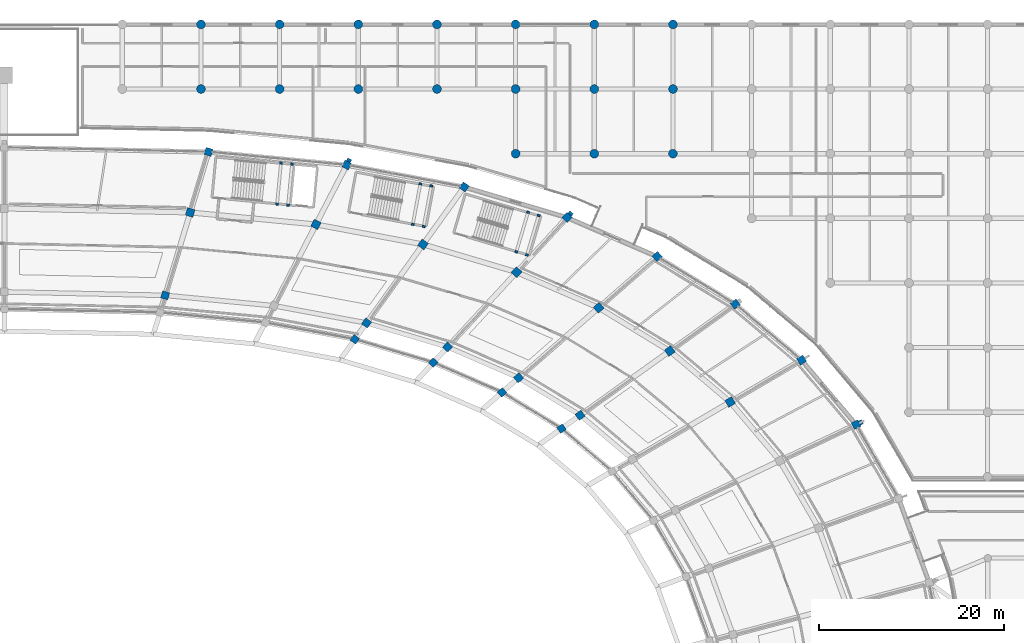
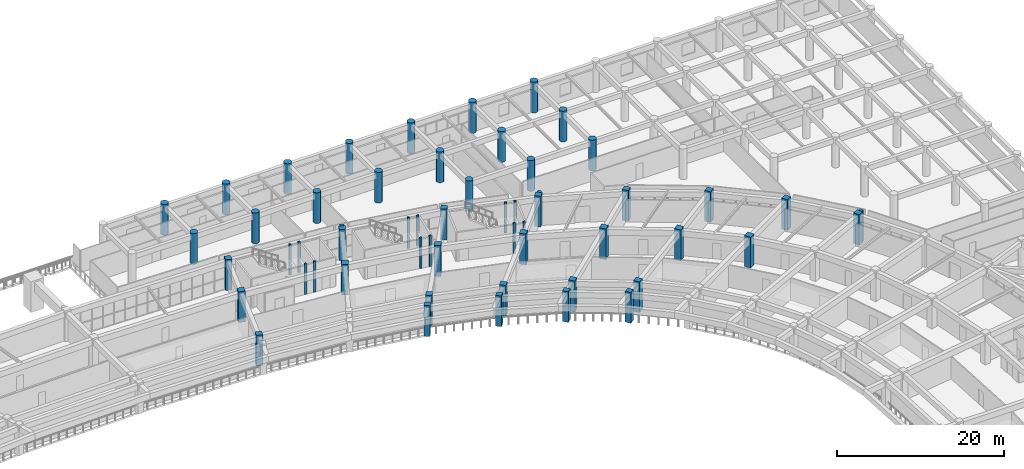
# One storey, part 9 of 145: 56 columns.
"""IFC4 building model written with IfcOpenShell, lengths in metres."""

from ifc_helpers import new_model, si_unit, direction, frame, origin, origin_2d, place, context, subcontext, project, spatial, rectangle, circle, extrude, material, material_profile, profile_set, type_object, element, save


model = new_model("IFC4")

# Units and contexts
model_context = context("Model", 3, precision=1e-05, world=origin(), true_north=direction((0.0, 1.0)))
body_context = subcontext(model_context, "Body", "Model", "MODEL_VIEW")
ifc_project = project(units=[si_unit("LENGTHUNIT", "METRE"), si_unit("AREAUNIT", "SQUARE_METRE"), si_unit("VOLUMEUNIT", "CUBIC_METRE"), si_unit("PLANEANGLEUNIT", "RADIAN"), si_unit("MASSUNIT", "GRAM", prefix="KILO")], contexts=[model_context])

# Site, building, storey
site_placement = place(None, origin())
site = spatial("IfcSite", under=ifc_project, at=site_placement, CompositionType="ELEMENT")
building_placement = place(site_placement, origin())
building = spatial("IfcBuilding", under=site, at=building_placement, Name="Mphavela Belvedere Stadium", CompositionType="ELEMENT")
storey_placement = place(building_placement, frame((0.0, 0.0, 10.199951171875)))
storey = spatial("IfcBuildingStorey", under=building, at=storey_placement, Name="L02", CompositionType="ELEMENT", Elevation=10.199951171875)

# Columns
ifc_material_1 = material(Name="Concrete C40/50", Category="concrete")
ifc_material_profile_1 = material_profile(ifc_material_1, rectangle(XDim=0.300048828125, YDim=0.219970703125, at=origin_2d()), Name="RC 300x220")
ifc_profile_set_1 = profile_set([ifc_material_profile_1], Name="Concrete C40/50")
column_type_1 = type_object("IfcColumnType", Name="COL-CORE-POST-300", PredefinedType="COLUMN", material=ifc_profile_set_1)
for number, where, z_axis, x_axis, name in (
    (1, (144.53515625, 154.541259765625, 0.0), (0.0, 0.0, 1.0), (0.995479460536, -0.094977069084, 0.0), "Core C03 stair frame column L02-1"),
    (2, (145.729736328125, 154.42724609375, 0.0), (0.0, 0.0, 1.0), (0.995479460536, -0.094977069084, 0.0), "Core C03 stair frame column L02-2"),
    (3, (146.154296875, 158.877197265625, 0.0), (0.0, 0.0, 1.0), (0.995479460536, -0.094977069084, 0.0), "Core C03 stair frame column L02-3"),
    (4, (144.959716796875, 158.990966796875, 0.0), (0.0, 0.0, 1.0), (0.995479460536, -0.094977069084, 0.0), "Core C03 stair frame column L02-4"),
    (5, (170.44189453125, 149.372802734375, 0.0), (0.0, 0.0, 1.0), (0.958670893355, -0.284517342588, 0.0), "Core P01 stair frame column L02-1"),
    (6, (171.59228515625, 149.031494140625, 0.0), (0.0, 0.0, 1.0), (0.958670893355, -0.284517342588, 0.0), "Core P01 stair frame column L02-2"),
    (7, (172.8642578125, 153.316650390625, 0.0), (0.0, 0.0, 1.0), (0.958670893355, -0.284517342588, 0.0), "Core P01 stair frame column L02-3"),
    (8, (171.7138671875, 153.658203125, 0.0), (0.0, 0.0, 1.0), (0.958670893355, -0.284517342588, 0.0), "Core P01 stair frame column L02-4"),
    (9, (159.233154296875, 152.34033203125, 0.0), (0.0, 0.0, 1.0), (0.983095502692, -0.183093507769, 0.0), "Core P02 stair frame column L02-1"),
    (10, (160.4130859375, 152.12060546875, 0.0), (0.0, 0.0, 1.0), (0.983095502692, -0.183093507769, 0.0), "Core P02 stair frame column L02-2"),
    (11, (161.2314453125, 156.514892578125, 0.0), (0.0, 0.0, 1.0), (0.983095502692, -0.183093507769, 0.0), "Core P02 stair frame column L02-3"),
    (12, (160.0517578125, 156.734619140625, 0.0), (0.0, 0.0, 1.0), (0.983095502692, -0.183093507769, 0.0), "Core P02 stair frame column L02-4"),
):
    element("IfcColumn", number, at=place(storey_placement, frame(where, z_axis=z_axis, x_axis=x_axis)), inside=storey, type_object=column_type_1, Name=name, PredefinedType="COLUMN", context=body_context, shape_type="SweptSolid", body=[
        extrude(rectangle(XDim=0.300048828125, YDim=0.219970703125, at=origin_2d()), origin(), (0.0, 0.0, 1.0), 4.5),
    ])
ifc_material_2 = material(Name="Concrete C40/50", Category="concrete")
ifc_material_profile_2 = material_profile(ifc_material_2, circle(Radius=0.47509765625, at=origin_2d()), Name="COL D950")
ifc_profile_set_2 = profile_set([ifc_material_profile_2], Name="Concrete C40/50")
column_type_2 = type_object("IfcColumnType", Name="COL-DORIC-950", PredefinedType="COLUMN", material=ifc_profile_set_2)
for number, where, z_axis, x_axis, name in (
    (13, (136.2958984375, 167.0, 0.0), (0.0, 0.0, 1.0), (1.0, 0.0, 0.0), "North Mast and Ceremonial End Forecourt classical column L02 17-7"),
    (14, (136.2958984375, 174.0, 0.0), (0.0, 0.0, 1.0), (1.0, 0.0, 0.0), "North Mast and Ceremonial End Forecourt classical column L02 17-8"),
    (15, (144.81494140625, 167.0, 0.0), (0.0, 0.0, 1.0), (1.0, 0.0, 0.0), "North Mast and Ceremonial End Forecourt classical column L02 18-7"),
    (16, (144.81494140625, 174.0, 0.0), (0.0, 0.0, 1.0), (1.0, 0.0, 0.0), "North Mast and Ceremonial End Forecourt classical column L02 18-8"),
    (17, (153.3330078125, 167.0, 0.0), (0.0, 0.0, 1.0), (1.0, 0.0, 0.0), "North Mast and Ceremonial End Forecourt classical column L02 19-7"),
    (18, (153.3330078125, 174.0, 0.0), (0.0, 0.0, 1.0), (1.0, 0.0, 0.0), "North Mast and Ceremonial End Forecourt classical column L02 19-8"),
    (19, (161.85205078125, 167.0, 0.0), (0.0, 0.0, 1.0), (1.0, 0.0, 0.0), "North Mast and Ceremonial End Forecourt classical column L02 20-7"),
    (20, (161.85205078125, 174.0, 0.0), (0.0, 0.0, 1.0), (1.0, 0.0, 0.0), "North Mast and Ceremonial End Forecourt classical column L02 20-8"),
    (21, (170.3701171875, 160.0, 0.0), (0.0, 0.0, 1.0), (1.0, 0.0, 0.0), "North Mast and Ceremonial End Forecourt classical column L02 21-6"),
    (22, (170.3701171875, 167.0, 0.0), (0.0, 0.0, 1.0), (1.0, 0.0, 0.0), "North Mast and Ceremonial End Forecourt classical column L02 21-7"),
    (23, (170.3701171875, 174.0, 0.0), (0.0, 0.0, 1.0), (1.0, 0.0, 0.0), "North Mast and Ceremonial End Forecourt classical column L02 21-8"),
    (24, (178.888916015625, 160.0, 0.0), (0.0, 0.0, 1.0), (1.0, 0.0, 0.0), "North Mast and Ceremonial End Forecourt classical column L02 22-6"),
    (25, (178.888916015625, 167.0, 0.0), (0.0, 0.0, 1.0), (1.0, 0.0, 0.0), "North Mast and Ceremonial End Forecourt classical column L02 22-7"),
    (26, (178.888916015625, 174.0, 0.0), (0.0, 0.0, 1.0), (1.0, 0.0, 0.0), "North Mast and Ceremonial End Forecourt classical column L02 22-8"),
    (27, (187.406982421875, 160.0, 0.0), (0.0, 0.0, 1.0), (1.0, 0.0, 0.0), "North Mast and Ceremonial End Forecourt classical column L02 23-6"),
    (28, (187.406982421875, 167.0, 0.0), (0.0, 0.0, 1.0), (1.0, 0.0, 0.0), "North Mast and Ceremonial End Forecourt classical column L02 23-7"),
    (29, (187.406982421875, 174.0, 0.0), (0.0, 0.0, 1.0), (1.0, 0.0, 0.0), "North Mast and Ceremonial End Forecourt classical column L02 23-8"),
):
    element("IfcColumn", number, at=place(storey_placement, frame(where, z_axis=z_axis, x_axis=x_axis)), inside=storey, type_object=column_type_2, Name=name, PredefinedType="COLUMN", context=body_context, shape_type="SweptSolid", body=[
        extrude(circle(Radius=0.47509765625, at=origin_2d()), origin(), (0.0, 0.0, 1.0), 4.5),
    ])
ifc_material_3 = material(Name="Concrete C40/50", Category="concrete")
ifc_material_profile_3 = material_profile(ifc_material_3, rectangle(XDim=0.75, YDim=0.75, at=origin_2d()), Name="RC 750x750")
ifc_profile_set_3 = profile_set([ifc_material_profile_3], Name="Concrete C40/50")
column_type_3 = type_object("IfcColumnType", Name="COL-RC750", PredefinedType="COLUMN", material=ifc_profile_set_3)
for number, where, z_axis, x_axis, name in (
    (30, (175.33740234375, 130.2314453125, 0.0), (0.0, 0.0, 1.0), (0.812897512265, 0.582406760395, 0.0), "Inner concourse column L02 R1-07"),
    (31, (168.88916015625, 134.154296875, 0.0), (0.0, 0.0, 1.0), (0.752529860433, 0.658558128912, 0.0), "Inner concourse column L02 R1-08"),
    (32, (161.450439453125, 137.37890625, 0.0), (0.0, 0.0, 1.0), (0.677903094969, 0.735151272753, 0.0), "Inner concourse column L02 R1-09"),
    (33, (152.961669921875, 139.898681640625, 0.0), (0.0, 0.0, 1.0), (0.582974127943, 0.812490717577, 0.0), "Inner concourse column L02 R1-10"),
):
    element("IfcColumn", number, at=place(storey_placement, frame(where, z_axis=z_axis, x_axis=x_axis)), inside=storey, type_object=column_type_3, Name=name, PredefinedType="COLUMN", context=body_context, shape_type="SweptSolid", body=[
        extrude(rectangle(XDim=0.75, YDim=0.75, at=origin_2d()), origin(), (0.0, 0.0, 1.0), 4.5),
    ])
ifc_material_4 = material(Name="Concrete C40/50", Category="concrete")
ifc_material_profile_4 = material_profile(ifc_material_4, rectangle(XDim=0.800048828125, YDim=0.800048828125, at=origin_2d()), Name="RC 800x800")
ifc_profile_set_4 = profile_set([ifc_material_profile_4], Name="Concrete C40/50")
column_type_4 = type_object("IfcColumnType", Name="COL-RC800", PredefinedType="COLUMN", material=ifc_profile_set_4)
for number, where, z_axis, x_axis, name in (
    (34, (207.242431640625, 130.66162109375, 0.0), (0.0, 0.0, 1.0), (0.903858661687, 0.4278311813, 0.0), "Outer colonnade column L02 R4-05"),
    (35, (201.33837890625, 137.653564453125, 0.0), (0.0, 0.0, 1.0), (0.862513669207, 0.506033764121, 0.0), "Outer colonnade column L02 R4-06"),
    (36, (177.353759765625, 131.676025390625, 0.0), (0.0, 0.0, 1.0), (0.812897512265, 0.582406760395, 0.0), "Middle concourse column L02 R2-07"),
    (37, (194.155517578125, 143.714599609375, 0.0), (0.0, 0.0, 1.0), (0.812897512265, 0.582406760395, 0.0), "Outer colonnade column L02 R4-07"),
    (38, (170.68994140625, 135.72998046875, 0.0), (0.0, 0.0, 1.0), (0.752529860433, 0.658558128912, 0.0), "Middle concourse column L02 R2-08"),
    (39, (185.6962890625, 148.86083984375, 0.0), (0.0, 0.0, 1.0), (0.752529860433, 0.658558128912, 0.0), "Outer colonnade column L02 R4-08"),
    (40, (163.002685546875, 139.0625, 0.0), (0.0, 0.0, 1.0), (0.677903094969, 0.735151272753, 0.0), "Middle concourse column L02 R2-09"),
    (41, (175.9375, 153.09130859375, 0.0), (0.0, 0.0, 1.0), (0.677903094969, 0.735151272753, 0.0), "Outer colonnade column L02 R4-09"),
    (42, (154.230224609375, 141.66650390625, 0.0), (0.0, 0.0, 1.0), (0.582974127943, 0.812490717577, 0.0), "Middle concourse column L02 R2-10"),
    (43, (164.80126953125, 156.39697265625, 0.0), (0.0, 0.0, 1.0), (0.582974127943, 0.812490717577, 0.0), "Outer colonnade column L02 R4-10"),
    (44, (152.07275390625, 158.767333984375, 0.0), (0.0, 0.0, 1.0), (0.458959712465, 0.888457079624, 0.0), "Outer colonnade column L02 R4-11"),
    (45, (132.42041015625, 144.657470703125, 0.0), (0.0, 0.0, 1.0), (0.289198876314, 0.957269037387, 0.0), "Middle concourse column L02 R2-12"),
    (46, (137.114501953125, 160.19384765625, 0.0), (0.0, 0.0, 1.0), (0.289198876314, 0.957269037387, 0.0), "Outer colonnade column L02 R4-12"),
):
    element("IfcColumn", number, at=place(storey_placement, frame(where, z_axis=z_axis, x_axis=x_axis)), inside=storey, type_object=column_type_4, Name=name, PredefinedType="COLUMN", context=body_context, shape_type="SweptSolid", body=[
        extrude(rectangle(XDim=0.800048828125, YDim=0.800048828125, at=origin_2d()), origin(), (0.0, 0.0, 1.0), 4.5),
    ])
ifc_material_5 = material(Name="Concrete C40/50", Category="concrete")
ifc_material_profile_5 = material_profile(ifc_material_5, rectangle(XDim=0.85009765625, YDim=0.85009765625, at=origin_2d()), Name="RC 850x850")
ifc_profile_set_5 = profile_set([ifc_material_profile_5], Name="Concrete C40/50")
column_type_5 = type_object("IfcColumnType", Name="COL-RC850", PredefinedType="COLUMN", material=ifc_profile_set_5)
for number, where, z_axis, x_axis, name in (
    (47, (193.600341796875, 133.11376953125, 0.0), (0.0, 0.0, 1.0), (0.862513669207, 0.506033764121, 0.0), "Main bowl column L02 R3-06"),
    (48, (187.061279296875, 138.631591796875, 0.0), (0.0, 0.0, 1.0), (0.812897512265, 0.582406760395, 0.0), "Main bowl column L02 R3-07"),
    (49, (179.360107421875, 143.31689453125, 0.0), (0.0, 0.0, 1.0), (0.752529860433, 0.658558128912, 0.0), "Main bowl column L02 R3-08"),
    (50, (170.476318359375, 147.16796875, 0.0), (0.0, 0.0, 1.0), (0.677903094969, 0.735151272753, 0.0), "Main bowl column L02 R3-09"),
    (51, (160.337890625, 150.177490234375, 0.0), (0.0, 0.0, 1.0), (0.582974127943, 0.812490717577, 0.0), "Main bowl column L02 R3-10"),
    (52, (148.750244140625, 152.33544921875, 0.0), (0.0, 0.0, 1.0), (0.458959712465, 0.888457079624, 0.0), "Main bowl column L02 R3-11"),
    (53, (135.1328125, 153.634033203125, 0.0), (0.0, 0.0, 1.0), (0.289198876314, 0.957269037387, 0.0), "Main bowl column L02 R3-12"),
):
    element("IfcColumn", number, at=place(storey_placement, frame(where, z_axis=z_axis, x_axis=x_axis)), inside=storey, type_object=column_type_5, Name=name, PredefinedType="COLUMN", context=body_context, shape_type="SweptSolid", body=[
        extrude(rectangle(XDim=0.85009765625, YDim=0.85009765625, at=origin_2d()), origin(), (0.0, 0.0, 1.0), 4.5),
    ])
ifc_material_6 = material(Name="Concrete C40/50", Category="concrete")
ifc_material_profile_6 = material_profile(ifc_material_6, rectangle(XDim=0.5, YDim=0.35009765625, at=origin_2d()), Name="PIL 500x350")
ifc_profile_set_6 = profile_set([ifc_material_profile_6], Name="Concrete C40/50")
column_type_6 = type_object("IfcColumnType", Name="PIL-FLUTED-500", PredefinedType="PILASTER", material=ifc_profile_set_6)
for number, where, z_axis, x_axis, name in (
    (54, (207.764892578125, 130.90869140625, 0.0), (0.0, 0.0, 1.0), (-0.4278311813, 0.903858661687, 0.0), "Fluted classical pilaster L02-05"),
    (55, (176.329345703125, 153.51611328125, 0.0), (0.0, 0.0, 1.0), (-0.735151272753, 0.677903094969, 0.0), "Fluted classical pilaster L02-09"),
    (56, (152.338134765625, 159.281005859375, 0.0), (0.0, 0.0, 1.0), (-0.888457079624, 0.458959712465, 0.0), "Fluted classical pilaster L02-11"),
):
    element("IfcColumn", number, at=place(storey_placement, frame(where, z_axis=z_axis, x_axis=x_axis)), inside=storey, type_object=column_type_6, Name=name, PredefinedType="PILASTER", context=body_context, shape_type="SweptSolid", body=[
        extrude(rectangle(XDim=0.5, YDim=0.35009765625, at=origin_2d()), origin(), (0.0, 0.0, 1.0), 4.5),
    ])

save(model, "model.ifc")
